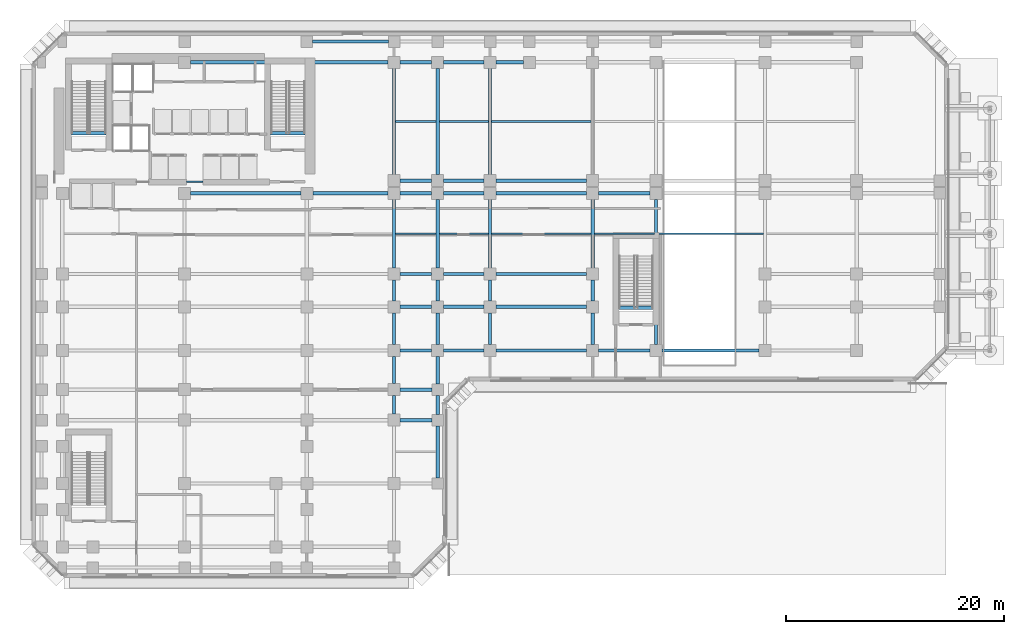
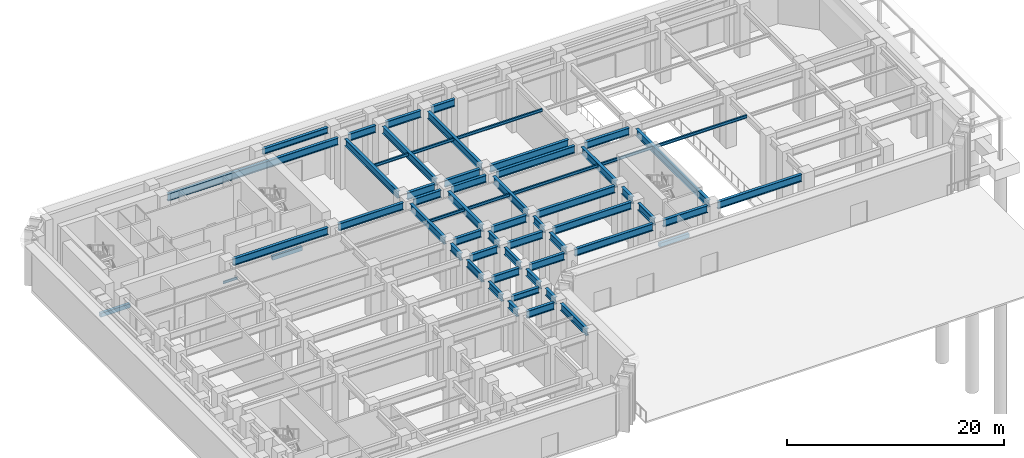
# One storey, part 4 of 18: 60 beams.
"""IFC4 building model written with IfcOpenShell, lengths in metres."""

from ifc_helpers import new_model, si_unit, direction, frame, origin, origin_2d, place, context, subcontext, project, spatial, rectangle, i_section, extrude, material, material_profile, profile_set, type_object, element, save


model = new_model("IFC4")

# Units and contexts
model_context = context("Model", 3, precision=1e-05, world=origin(), true_north=direction((0.0, 1.0)))
body_context = subcontext(model_context, "Body", "Model", "MODEL_VIEW")
ifc_project = project(units=[si_unit("LENGTHUNIT", "METRE"), si_unit("AREAUNIT", "SQUARE_METRE"), si_unit("VOLUMEUNIT", "CUBIC_METRE"), si_unit("PLANEANGLEUNIT", "RADIAN"), si_unit("MASSUNIT", "GRAM", prefix="KILO")], contexts=[model_context])

# Site, building, storey
site_placement = place(None, origin())
site = spatial("IfcSite", under=ifc_project, at=site_placement, CompositionType="ELEMENT")
building_placement = place(site_placement, origin())
building = spatial("IfcBuilding", under=site, at=building_placement, Name="Kefirva Bronze Tower", CompositionType="ELEMENT")
storey_placement = place(building_placement, origin())
storey = spatial("IfcBuildingStorey", under=building, at=storey_placement, Name="L00", CompositionType="ELEMENT", Elevation=0.0)

# Beams
ifc_material_1 = material(Name="Concrete C50/60", Category="concrete")
ifc_material_profile_1 = material_profile(ifc_material_1, rectangle(XDim=0.300048828125, YDim=0.449951171875, at=origin_2d()), Name="RC 300x450")
ifc_profile_set_1 = profile_set([ifc_material_profile_1], Name="Concrete C50/60")
beam_type_1 = type_object("IfcBeamType", Name="RC Stair Trimmer Beam 300x450", PredefinedType="BEAM", material=ifc_profile_set_1)
beam_1_placement = place(storey_placement, frame((1.64501953125, 38.699951171875, -0.22509765625), z_axis=(1.0, 0.0, 0.0), x_axis=(0.0, 1.0, 0.0)))
element("IfcBeam", 1, at=beam_1_placement, inside=storey, type_object=beam_type_1, Name="L00 Stair 1 Landing Trimmer Beam", PredefinedType="BEAM", context=body_context, shape_type="SweptSolid", body=[
    extrude(rectangle(XDim=0.300048828125, YDim=0.449951171875, at=origin_2d()), origin(), (0.0, 0.0, 1.0), 3.14990234375),
])
beam_2_placement = place(storey_placement, frame((19.89501953125, 38.699951171875, -0.22509765625), z_axis=(1.0, 0.0, 0.0), x_axis=(0.0, 1.0, 0.0)))
element("IfcBeam", 2, at=beam_2_placement, inside=storey, type_object=beam_type_1, Name="L00 Stair 2 Landing Trimmer Beam", PredefinedType="BEAM", context=body_context, shape_type="SweptSolid", body=[
    extrude(rectangle(XDim=0.300048828125, YDim=0.449951171875, at=origin_2d()), origin(), (0.0, 0.0, 1.0), 3.159912109375),
])
beam_3_placement = place(storey_placement, frame((51.794921875, 22.699951171875, -0.22509765625), z_axis=(1.0, 0.0, 0.0), x_axis=(0.0, 1.0, 0.0)))
element("IfcBeam", 3, at=beam_3_placement, inside=storey, type_object=beam_type_1, Name="L00 Stair 4 Landing Trimmer Beam", PredefinedType="BEAM", context=body_context, shape_type="SweptSolid", body=[
    extrude(rectangle(XDim=0.300048828125, YDim=0.449951171875, at=origin_2d()), origin(), (0.0, 0.0, 1.0), 3.150146484375),
])
ifc_material_2 = material(Name="Steel S355", Category="steel")
ifc_material_profile_2 = material_profile(ifc_material_2, i_section(OverallWidth=0.159912109375, OverallDepth=0.330078125, WebThickness=0.007568359375, FlangeThickness=0.011474609375, at=origin_2d()), Name="IPE 330")
ifc_profile_set_2 = profile_set([ifc_material_profile_2], Name="Steel S355")
beam_type_2 = type_object("IfcBeamType", Name="Steel Floor Joist IPE 330", PredefinedType="JOIST", material=ifc_profile_set_2)
for number, where, z_axis, x_axis, name in (
    (4, (31.35009765625, 29.5, 5.455078125), (1.0, 0.0, 0.0), (0.0, 1.0, 0.0), "L00 JST-L00-31-295"),
    (5, (31.35009765625, 39.77490234375, 5.455078125), (1.0, 0.0, 0.0), (0.0, 1.0, 0.0), "L00 JST-L00-31-397"),
):
    element("IfcBeam", number, at=place(storey_placement, frame(where, z_axis=z_axis, x_axis=x_axis)), inside=storey, type_object=beam_type_2, Name=name, PredefinedType="JOIST", context=body_context, shape_type="SweptSolid", body=[
        extrude(i_section(OverallWidth=0.159912109375, OverallDepth=0.330078125, WebThickness=0.007568359375, FlangeThickness=0.011474609375, at=origin_2d()), origin(), (0.0, 0.0, 1.0), 3.699951171875),
    ])
for number, where, z_axis, x_axis, name in (
    (6, (35.35009765625, 29.5, 5.455078125), (1.0, 0.0, 0.0), (0.0, 1.0, 0.0), "L00 JST-L00-35-295"),
    (7, (35.35009765625, 39.77490234375, 5.455078125), (1.0, 0.0, 0.0), (0.0, 1.0, 0.0), "L00 JST-L00-35-397"),
):
    element("IfcBeam", number, at=place(storey_placement, frame(where, z_axis=z_axis, x_axis=x_axis)), inside=storey, type_object=beam_type_2, Name=name, PredefinedType="JOIST", context=body_context, shape_type="SweptSolid", body=[
        extrude(i_section(OverallWidth=0.159912109375, OverallDepth=0.330078125, WebThickness=0.007568359375, FlangeThickness=0.011474609375, at=origin_2d()), origin(), (0.0, 0.0, 1.0), 4.5),
    ])
for number, where, z_axis, x_axis, name in (
    (8, (40.14990234375, 29.5, 5.455078125), (1.0, 0.0, 0.0), (0.0, 1.0, 0.0), "L00 JST-L00-40-295"),
    (9, (40.14990234375, 39.77490234375, 5.455078125), (1.0, 0.0, 0.0), (0.0, 1.0, 0.0), "L00 JST-L00-40-397"),
):
    element("IfcBeam", number, at=place(storey_placement, frame(where, z_axis=z_axis, x_axis=x_axis)), inside=storey, type_object=beam_type_2, Name=name, PredefinedType="JOIST", context=body_context, shape_type="SweptSolid", body=[
        extrude(i_section(OverallWidth=0.159912109375, OverallDepth=0.330078125, WebThickness=0.007568359375, FlangeThickness=0.011474609375, at=origin_2d()), origin(), (0.0, 0.0, 1.0), 9.10009765625),
    ])
beam_4_placement = place(storey_placement, frame((49.550048828125, 29.5, 5.455078125), z_axis=(1.0, 0.0, 0.0), x_axis=(0.0, 1.0, 0.0)))
element("IfcBeam", 10, at=beam_4_placement, inside=storey, type_object=beam_type_2, Name="L00 JST-L00-49-295", PredefinedType="JOIST", context=body_context, shape_type="SweptSolid", body=[
    extrude(i_section(OverallWidth=0.159912109375, OverallDepth=0.330078125, WebThickness=0.007568359375, FlangeThickness=0.011474609375, at=origin_2d()), origin(), (0.0, 0.0, 1.0), 5.5),
])
beam_5_placement = place(storey_placement, frame((55.35009765625, 29.5, 5.455078125), z_axis=(1.0, 0.0, 0.0), x_axis=(0.0, 1.0, 0.0)))
element("IfcBeam", 11, at=beam_5_placement, inside=storey, type_object=beam_type_2, Name="L00 JST-L00-55-295", PredefinedType="JOIST", context=body_context, shape_type="SweptSolid", body=[
    extrude(i_section(OverallWidth=0.159912109375, OverallDepth=0.330078125, WebThickness=0.007568359375, FlangeThickness=0.011474609375, at=origin_2d()), origin(), (0.0, 0.0, 1.0), 9.699951171875),
])
ifc_material_profile_3 = material_profile(ifc_material_2, i_section(OverallWidth=0.300048828125, OverallDepth=0.800048828125, WebThickness=0.017578125, FlangeThickness=0.032958984375, at=origin_2d()), Name="HEB 800")
ifc_profile_set_3 = profile_set([ifc_material_profile_3], Name="Steel S355")
beam_type_3 = type_object("IfcBeamType", Name="Steel Girder HEB 800", PredefinedType="USERDEFINED", material=ifc_profile_set_3)
beam_6_placement = place(storey_placement, frame((31.75, 12.39990234375, 5.219970703125), z_axis=(1.0, 0.0, 0.0), x_axis=(0.0, 1.0, 0.0)))
element("IfcBeam", 12, at=beam_6_placement, inside=storey, type_object=beam_type_3, Name="L00 BM-L00-EW-31-124", ObjectType="GIRDER", PredefinedType="USERDEFINED", context=body_context, shape_type="SweptSolid", body=[
    extrude(i_section(OverallWidth=0.300048828125, OverallDepth=0.800048828125, WebThickness=0.017578125, FlangeThickness=0.032958984375, at=origin_2d()), origin(), (0.0, 0.0, 1.0), 2.925048828125),
])
beam_7_placement = place(storey_placement, frame((31.75, 18.800048828125, 5.219970703125), z_axis=(1.0, 0.0, 0.0), x_axis=(0.0, 1.0, 0.0)))
element("IfcBeam", 13, at=beam_7_placement, inside=storey, type_object=beam_type_3, Name="L00 BM-L00-EW-31-188", ObjectType="GIRDER", PredefinedType="USERDEFINED", context=body_context, shape_type="SweptSolid", body=[
    extrude(i_section(OverallWidth=0.300048828125, OverallDepth=0.800048828125, WebThickness=0.017578125, FlangeThickness=0.032958984375, at=origin_2d()), origin(), (0.0, 0.0, 1.0), 2.89990234375),
])
beam_8_placement = place(storey_placement, frame((35.75, 18.800048828125, 5.219970703125), z_axis=(1.0, 0.0, 0.0), x_axis=(0.0, 1.0, 0.0)))
element("IfcBeam", 14, at=beam_8_placement, inside=storey, type_object=beam_type_3, Name="L00 BM-L00-EW-35-188", ObjectType="GIRDER", PredefinedType="USERDEFINED", context=body_context, shape_type="SweptSolid", body=[
    extrude(i_section(OverallWidth=0.300048828125, OverallDepth=0.800048828125, WebThickness=0.017578125, FlangeThickness=0.032958984375, at=origin_2d()), origin(), (0.0, 0.0, 1.0), 3.699951171875),
])
beam_9_placement = place(storey_placement, frame((40.550048828125, 18.800048828125, 5.219970703125), z_axis=(1.0, 0.0, 0.0), x_axis=(0.0, 1.0, 0.0)))
element("IfcBeam", 15, at=beam_9_placement, inside=storey, type_object=beam_type_3, Name="L00 BM-L00-EW-40-188", ObjectType="GIRDER", PredefinedType="USERDEFINED", context=body_context, shape_type="SweptSolid", body=[
    extrude(i_section(OverallWidth=0.300048828125, OverallDepth=0.800048828125, WebThickness=0.017578125, FlangeThickness=0.032958984375, at=origin_2d()), origin(), (0.0, 0.0, 1.0), 8.300048828125),
])
beam_10_placement = place(storey_placement, frame((49.949951171875, 18.800048828125, 5.219970703125), z_axis=(1.0, 0.0, 0.0), x_axis=(0.0, 1.0, 0.0)))
element("IfcBeam", 16, at=beam_10_placement, inside=storey, type_object=beam_type_3, Name="L00 BM-L00-EW-49-188", ObjectType="GIRDER", PredefinedType="USERDEFINED", context=body_context, shape_type="SweptSolid", body=[
    extrude(i_section(OverallWidth=0.300048828125, OverallDepth=0.800048828125, WebThickness=0.017578125, FlangeThickness=0.032958984375, at=origin_2d()), origin(), (0.0, 0.0, 1.0), 4.699951171875),
])
beam_11_placement = place(storey_placement, frame((55.75, 18.800048828125, 5.219970703125), z_axis=(1.0, 0.0, 0.0), x_axis=(0.0, 1.0, 0.0)))
element("IfcBeam", 17, at=beam_11_placement, inside=storey, type_object=beam_type_3, Name="L00 BM-L00-EW-55-188", ObjectType="GIRDER", PredefinedType="USERDEFINED", context=body_context, shape_type="SweptSolid", body=[
    extrude(i_section(OverallWidth=0.300048828125, OverallDepth=0.800048828125, WebThickness=0.017578125, FlangeThickness=0.032958984375, at=origin_2d()), origin(), (0.0, 0.0, 1.0), 8.89990234375),
])
beam_12_placement = place(storey_placement, frame((31.75, 22.800048828125, 5.219970703125), z_axis=(1.0, 0.0, 0.0), x_axis=(0.0, 1.0, 0.0)))
element("IfcBeam", 18, at=beam_12_placement, inside=storey, type_object=beam_type_3, Name="L00 BM-L00-EW-31-228", ObjectType="GIRDER", PredefinedType="USERDEFINED", context=body_context, shape_type="SweptSolid", body=[
    extrude(i_section(OverallWidth=0.300048828125, OverallDepth=0.800048828125, WebThickness=0.017578125, FlangeThickness=0.032958984375, at=origin_2d()), origin(), (0.0, 0.0, 1.0), 2.89990234375),
])
beam_13_placement = place(storey_placement, frame((35.75, 22.800048828125, 5.219970703125), z_axis=(1.0, 0.0, 0.0), x_axis=(0.0, 1.0, 0.0)))
element("IfcBeam", 19, at=beam_13_placement, inside=storey, type_object=beam_type_3, Name="L00 BM-L00-EW-35-228", ObjectType="GIRDER", PredefinedType="USERDEFINED", context=body_context, shape_type="SweptSolid", body=[
    extrude(i_section(OverallWidth=0.300048828125, OverallDepth=0.800048828125, WebThickness=0.017578125, FlangeThickness=0.032958984375, at=origin_2d()), origin(), (0.0, 0.0, 1.0), 3.699951171875),
])
beam_14_placement = place(storey_placement, frame((40.550048828125, 22.800048828125, 5.219970703125), z_axis=(1.0, 0.0, 0.0), x_axis=(0.0, 1.0, 0.0)))
element("IfcBeam", 20, at=beam_14_placement, inside=storey, type_object=beam_type_3, Name="L00 BM-L00-EW-40-228", ObjectType="GIRDER", PredefinedType="USERDEFINED", context=body_context, shape_type="SweptSolid", body=[
    extrude(i_section(OverallWidth=0.300048828125, OverallDepth=0.800048828125, WebThickness=0.017578125, FlangeThickness=0.032958984375, at=origin_2d()), origin(), (0.0, 0.0, 1.0), 8.300048828125),
])
beam_15_placement = place(storey_placement, frame((31.75, 25.800048828125, 5.219970703125), z_axis=(1.0, 0.0, 0.0), x_axis=(0.0, 1.0, 0.0)))
element("IfcBeam", 21, at=beam_15_placement, inside=storey, type_object=beam_type_3, Name="L00 BM-L00-EW-31-258", ObjectType="GIRDER", PredefinedType="USERDEFINED", context=body_context, shape_type="SweptSolid", body=[
    extrude(i_section(OverallWidth=0.300048828125, OverallDepth=0.800048828125, WebThickness=0.017578125, FlangeThickness=0.032958984375, at=origin_2d()), origin(), (0.0, 0.0, 1.0), 2.89990234375),
])
beam_16_placement = place(storey_placement, frame((35.75, 25.800048828125, 5.219970703125), z_axis=(1.0, 0.0, 0.0), x_axis=(0.0, 1.0, 0.0)))
element("IfcBeam", 22, at=beam_16_placement, inside=storey, type_object=beam_type_3, Name="L00 BM-L00-EW-35-258", ObjectType="GIRDER", PredefinedType="USERDEFINED", context=body_context, shape_type="SweptSolid", body=[
    extrude(i_section(OverallWidth=0.300048828125, OverallDepth=0.800048828125, WebThickness=0.017578125, FlangeThickness=0.032958984375, at=origin_2d()), origin(), (0.0, 0.0, 1.0), 3.699951171875),
])
beam_17_placement = place(storey_placement, frame((40.550048828125, 25.800048828125, 5.219970703125), z_axis=(1.0, 0.0, 0.0), x_axis=(0.0, 1.0, 0.0)))
element("IfcBeam", 23, at=beam_17_placement, inside=storey, type_object=beam_type_3, Name="L00 BM-L00-EW-40-258", ObjectType="GIRDER", PredefinedType="USERDEFINED", context=body_context, shape_type="SweptSolid", body=[
    extrude(i_section(OverallWidth=0.300048828125, OverallDepth=0.800048828125, WebThickness=0.017578125, FlangeThickness=0.032958984375, at=origin_2d()), origin(), (0.0, 0.0, 1.0), 8.300048828125),
])
beam_18_placement = place(storey_placement, frame((12.550048828125, 33.199951171875, 5.219970703125), z_axis=(1.0, 0.0, 0.0), x_axis=(0.0, 1.0, 0.0)))
element("IfcBeam", 24, at=beam_18_placement, inside=storey, type_object=beam_type_3, Name="L00 BM-L00-EW-12-332", ObjectType="GIRDER", PredefinedType="USERDEFINED", context=body_context, shape_type="SweptSolid", body=[
    extrude(i_section(OverallWidth=0.300048828125, OverallDepth=0.800048828125, WebThickness=0.017578125, FlangeThickness=0.032958984375, at=origin_2d()), origin(), (0.0, 0.0, 1.0), 10.099853515625),
])
beam_19_placement = place(storey_placement, frame((23.75, 33.199951171875, 5.219970703125), z_axis=(1.0, 0.0, 0.0), x_axis=(0.0, 1.0, 0.0)))
element("IfcBeam", 25, at=beam_19_placement, inside=storey, type_object=beam_type_3, Name="L00 BM-L00-EW-23-332", ObjectType="GIRDER", PredefinedType="USERDEFINED", context=body_context, shape_type="SweptSolid", body=[
    extrude(i_section(OverallWidth=0.300048828125, OverallDepth=0.800048828125, WebThickness=0.017578125, FlangeThickness=0.032958984375, at=origin_2d()), origin(), (0.0, 0.0, 1.0), 6.89990234375),
])
beam_20_placement = place(storey_placement, frame((31.75, 33.199951171875, 5.219970703125), z_axis=(1.0, 0.0, 0.0), x_axis=(0.0, 1.0, 0.0)))
element("IfcBeam", 26, at=beam_20_placement, inside=storey, type_object=beam_type_3, Name="L00 BM-L00-EW-31-332", ObjectType="GIRDER", PredefinedType="USERDEFINED", context=body_context, shape_type="SweptSolid", body=[
    extrude(i_section(OverallWidth=0.300048828125, OverallDepth=0.800048828125, WebThickness=0.017578125, FlangeThickness=0.032958984375, at=origin_2d()), origin(), (0.0, 0.0, 1.0), 2.89990234375),
])
beam_21_placement = place(storey_placement, frame((35.75, 33.199951171875, 5.219970703125), z_axis=(1.0, 0.0, 0.0), x_axis=(0.0, 1.0, 0.0)))
element("IfcBeam", 27, at=beam_21_placement, inside=storey, type_object=beam_type_3, Name="L00 BM-L00-EW-35-332", ObjectType="GIRDER", PredefinedType="USERDEFINED", context=body_context, shape_type="SweptSolid", body=[
    extrude(i_section(OverallWidth=0.300048828125, OverallDepth=0.800048828125, WebThickness=0.017578125, FlangeThickness=0.032958984375, at=origin_2d()), origin(), (0.0, 0.0, 1.0), 3.699951171875),
])
beam_22_placement = place(storey_placement, frame((40.550048828125, 33.199951171875, 5.219970703125), z_axis=(1.0, 0.0, 0.0), x_axis=(0.0, 1.0, 0.0)))
element("IfcBeam", 28, at=beam_22_placement, inside=storey, type_object=beam_type_3, Name="L00 BM-L00-EW-40-332", ObjectType="GIRDER", PredefinedType="USERDEFINED", context=body_context, shape_type="SweptSolid", body=[
    extrude(i_section(OverallWidth=0.300048828125, OverallDepth=0.800048828125, WebThickness=0.017578125, FlangeThickness=0.032958984375, at=origin_2d()), origin(), (0.0, 0.0, 1.0), 8.300048828125),
])
beam_23_placement = place(storey_placement, frame((49.949951171875, 33.199951171875, 5.219970703125), z_axis=(1.0, 0.0, 0.0), x_axis=(0.0, 1.0, 0.0)))
element("IfcBeam", 29, at=beam_23_placement, inside=storey, type_object=beam_type_3, Name="L00 BM-L00-EW-49-332", ObjectType="GIRDER", PredefinedType="USERDEFINED", context=body_context, shape_type="SweptSolid", body=[
    extrude(i_section(OverallWidth=0.300048828125, OverallDepth=0.800048828125, WebThickness=0.017578125, FlangeThickness=0.032958984375, at=origin_2d()), origin(), (0.0, 0.0, 1.0), 4.699951171875),
])
beam_24_placement = place(storey_placement, frame((31.75, 34.35009765625, 5.219970703125), z_axis=(1.0, 0.0, 0.0), x_axis=(0.0, 1.0, 0.0)))
element("IfcBeam", 30, at=beam_24_placement, inside=storey, type_object=beam_type_3, Name="L00 BM-L00-EW-31-344", ObjectType="GIRDER", PredefinedType="USERDEFINED", context=body_context, shape_type="SweptSolid", body=[
    extrude(i_section(OverallWidth=0.300048828125, OverallDepth=0.800048828125, WebThickness=0.017578125, FlangeThickness=0.032958984375, at=origin_2d()), origin(), (0.0, 0.0, 1.0), 2.89990234375),
])
beam_25_placement = place(storey_placement, frame((35.75, 34.35009765625, 5.219970703125), z_axis=(1.0, 0.0, 0.0), x_axis=(0.0, 1.0, 0.0)))
element("IfcBeam", 31, at=beam_25_placement, inside=storey, type_object=beam_type_3, Name="L00 BM-L00-EW-35-344", ObjectType="GIRDER", PredefinedType="USERDEFINED", context=body_context, shape_type="SweptSolid", body=[
    extrude(i_section(OverallWidth=0.300048828125, OverallDepth=0.800048828125, WebThickness=0.017578125, FlangeThickness=0.032958984375, at=origin_2d()), origin(), (0.0, 0.0, 1.0), 3.699951171875),
])
beam_26_placement = place(storey_placement, frame((40.550048828125, 34.35009765625, 5.219970703125), z_axis=(1.0, 0.0, 0.0), x_axis=(0.0, 1.0, 0.0)))
element("IfcBeam", 32, at=beam_26_placement, inside=storey, type_object=beam_type_3, Name="L00 BM-L00-EW-40-344", ObjectType="GIRDER", PredefinedType="USERDEFINED", context=body_context, shape_type="SweptSolid", body=[
    extrude(i_section(OverallWidth=0.300048828125, OverallDepth=0.800048828125, WebThickness=0.017578125, FlangeThickness=0.032958984375, at=origin_2d()), origin(), (0.0, 0.0, 1.0), 8.300048828125),
])
beam_27_placement = place(storey_placement, frame((12.550048828125, 45.199951171875, 5.219970703125), z_axis=(1.0, 0.0, 0.0), x_axis=(0.0, 1.0, 0.0)))
element("IfcBeam", 33, at=beam_27_placement, inside=storey, type_object=beam_type_3, Name="L00 BM-L00-EW-12-452", ObjectType="GIRDER", PredefinedType="USERDEFINED", context=body_context, shape_type="SweptSolid", body=[
    extrude(i_section(OverallWidth=0.300048828125, OverallDepth=0.800048828125, WebThickness=0.017578125, FlangeThickness=0.032958984375, at=origin_2d()), origin(), (0.0, 0.0, 1.0), 18.099853515625),
])
beam_28_placement = place(storey_placement, frame((31.75, 45.199951171875, 5.219970703125), z_axis=(1.0, 0.0, 0.0), x_axis=(0.0, 1.0, 0.0)))
element("IfcBeam", 34, at=beam_28_placement, inside=storey, type_object=beam_type_3, Name="L00 BM-L00-EW-31-452", ObjectType="GIRDER", PredefinedType="USERDEFINED", context=body_context, shape_type="SweptSolid", body=[
    extrude(i_section(OverallWidth=0.300048828125, OverallDepth=0.800048828125, WebThickness=0.017578125, FlangeThickness=0.032958984375, at=origin_2d()), origin(), (0.0, 0.0, 1.0), 2.89990234375),
])
beam_29_placement = place(storey_placement, frame((35.75, 45.199951171875, 5.219970703125), z_axis=(1.0, 0.0, 0.0), x_axis=(0.0, 1.0, 0.0)))
element("IfcBeam", 35, at=beam_29_placement, inside=storey, type_object=beam_type_3, Name="L00 BM-L00-EW-35-452", ObjectType="GIRDER", PredefinedType="USERDEFINED", context=body_context, shape_type="SweptSolid", body=[
    extrude(i_section(OverallWidth=0.300048828125, OverallDepth=0.800048828125, WebThickness=0.017578125, FlangeThickness=0.032958984375, at=origin_2d()), origin(), (0.0, 0.0, 1.0), 3.699951171875),
])
beam_30_placement = place(storey_placement, frame((40.550048828125, 45.199951171875, 5.219970703125), z_axis=(1.0, 0.0, 0.0), x_axis=(0.0, 1.0, 0.0)))
element("IfcBeam", 36, at=beam_30_placement, inside=storey, type_object=beam_type_3, Name="L00 BM-L00-EW-40-452", ObjectType="GIRDER", PredefinedType="USERDEFINED", context=body_context, shape_type="SweptSolid", body=[
    extrude(i_section(OverallWidth=0.300048828125, OverallDepth=0.800048828125, WebThickness=0.017578125, FlangeThickness=0.032958984375, at=origin_2d()), origin(), (0.0, 0.0, 1.0), 2.5),
])
beam_31_placement = place(storey_placement, frame((31.199951171875, 12.949951171875, 5.219970703125), z_axis=(0.0, 1.0, 0.0), x_axis=(-1.0, 0.0, 0.0)))
element("IfcBeam", 37, at=beam_31_placement, inside=storey, type_object=beam_type_3, Name="L00 BM-L00-NS-312-12", ObjectType="GIRDER", PredefinedType="USERDEFINED", context=body_context, shape_type="SweptSolid", body=[
    extrude(i_section(OverallWidth=0.300048828125, OverallDepth=0.800048828125, WebThickness=0.017578125, FlangeThickness=0.032958984375, at=origin_2d()), origin(), (0.0, 0.0, 1.0), 1.699951171875),
])
beam_32_placement = place(storey_placement, frame((31.199951171875, 15.75, 5.219970703125), z_axis=(0.0, 1.0, 0.0), x_axis=(-1.0, 0.0, 0.0)))
element("IfcBeam", 38, at=beam_32_placement, inside=storey, type_object=beam_type_3, Name="L00 BM-L00-NS-312-15", ObjectType="GIRDER", PredefinedType="USERDEFINED", context=body_context, shape_type="SweptSolid", body=[
    extrude(i_section(OverallWidth=0.300048828125, OverallDepth=0.800048828125, WebThickness=0.017578125, FlangeThickness=0.032958984375, at=origin_2d()), origin(), (0.0, 0.0, 1.0), 2.5),
])
beam_33_placement = place(storey_placement, frame((31.199951171875, 19.35009765625, 5.219970703125), z_axis=(0.0, 1.0, 0.0), x_axis=(-1.0, 0.0, 0.0)))
element("IfcBeam", 39, at=beam_33_placement, inside=storey, type_object=beam_type_3, Name="L00 BM-L00-NS-312-18", ObjectType="GIRDER", PredefinedType="USERDEFINED", context=body_context, shape_type="SweptSolid", body=[
    extrude(i_section(OverallWidth=0.300048828125, OverallDepth=0.800048828125, WebThickness=0.017578125, FlangeThickness=0.032958984375, at=origin_2d()), origin(), (0.0, 0.0, 1.0), 2.89990234375),
])
beam_34_placement = place(storey_placement, frame((31.199951171875, 23.35009765625, 5.219970703125), z_axis=(0.0, 1.0, 0.0), x_axis=(-1.0, 0.0, 0.0)))
element("IfcBeam", 40, at=beam_34_placement, inside=storey, type_object=beam_type_3, Name="L00 BM-L00-NS-312-22", ObjectType="GIRDER", PredefinedType="USERDEFINED", context=body_context, shape_type="SweptSolid", body=[
    extrude(i_section(OverallWidth=0.300048828125, OverallDepth=0.800048828125, WebThickness=0.017578125, FlangeThickness=0.032958984375, at=origin_2d()), origin(), (0.0, 0.0, 1.0), 1.89990234375),
])
beam_35_placement = place(storey_placement, frame((31.199951171875, 26.35009765625, 5.219970703125), z_axis=(0.0, 1.0, 0.0), x_axis=(-1.0, 0.0, 0.0)))
element("IfcBeam", 41, at=beam_35_placement, inside=storey, type_object=beam_type_3, Name="L00 BM-L00-NS-312-25", ObjectType="GIRDER", PredefinedType="USERDEFINED", context=body_context, shape_type="SweptSolid", body=[
    extrude(i_section(OverallWidth=0.300048828125, OverallDepth=0.800048828125, WebThickness=0.017578125, FlangeThickness=0.032958984375, at=origin_2d()), origin(), (0.0, 0.0, 1.0), 6.2998046875),
])
beam_36_placement = place(storey_placement, frame((31.199951171875, 34.89990234375, 5.219970703125), z_axis=(0.0, 1.0, 0.0), x_axis=(-1.0, 0.0, 0.0)))
element("IfcBeam", 42, at=beam_36_placement, inside=storey, type_object=beam_type_3, Name="L00 BM-L00-NS-312-34", ObjectType="GIRDER", PredefinedType="USERDEFINED", context=body_context, shape_type="SweptSolid", body=[
    extrude(i_section(OverallWidth=0.300048828125, OverallDepth=0.800048828125, WebThickness=0.017578125, FlangeThickness=0.032958984375, at=origin_2d()), origin(), (0.0, 0.0, 1.0), 9.75),
])
beam_37_placement = place(storey_placement, frame((35.199951171875, 7.125, 5.219970703125), z_axis=(0.0, 1.0, 0.0), x_axis=(-1.0, 0.0, 0.0)))
element("IfcBeam", 43, at=beam_37_placement, inside=storey, type_object=beam_type_3, Name="L00 BM-L00-NS-352-6", ObjectType="GIRDER", PredefinedType="USERDEFINED", context=body_context, shape_type="SweptSolid", body=[
    extrude(i_section(OverallWidth=0.300048828125, OverallDepth=0.800048828125, WebThickness=0.017578125, FlangeThickness=0.032958984375, at=origin_2d()), origin(), (0.0, 0.0, 1.0), 4.75),
])
beam_38_placement = place(storey_placement, frame((35.199951171875, 12.925048828125, 5.219970703125), z_axis=(0.0, 1.0, 0.0), x_axis=(-1.0, 0.0, 0.0)))
element("IfcBeam", 44, at=beam_38_placement, inside=storey, type_object=beam_type_3, Name="L00 BM-L00-NS-352-12", ObjectType="GIRDER", PredefinedType="USERDEFINED", context=body_context, shape_type="SweptSolid", body=[
    extrude(i_section(OverallWidth=0.300048828125, OverallDepth=0.800048828125, WebThickness=0.017578125, FlangeThickness=0.032958984375, at=origin_2d()), origin(), (0.0, 0.0, 1.0), 1.75),
])
beam_39_placement = place(storey_placement, frame((35.199951171875, 15.72509765625, 5.219970703125), z_axis=(0.0, 1.0, 0.0), x_axis=(-1.0, 0.0, 0.0)))
element("IfcBeam", 45, at=beam_39_placement, inside=storey, type_object=beam_type_3, Name="L00 BM-L00-NS-352-15", ObjectType="GIRDER", PredefinedType="USERDEFINED", context=body_context, shape_type="SweptSolid", body=[
    extrude(i_section(OverallWidth=0.300048828125, OverallDepth=0.800048828125, WebThickness=0.017578125, FlangeThickness=0.032958984375, at=origin_2d()), origin(), (0.0, 0.0, 1.0), 2.52490234375),
])
beam_40_placement = place(storey_placement, frame((35.199951171875, 19.35009765625, 5.219970703125), z_axis=(0.0, 1.0, 0.0), x_axis=(-1.0, 0.0, 0.0)))
element("IfcBeam", 46, at=beam_40_placement, inside=storey, type_object=beam_type_3, Name="L00 BM-L00-NS-352-18", ObjectType="GIRDER", PredefinedType="USERDEFINED", context=body_context, shape_type="SweptSolid", body=[
    extrude(i_section(OverallWidth=0.300048828125, OverallDepth=0.800048828125, WebThickness=0.017578125, FlangeThickness=0.032958984375, at=origin_2d()), origin(), (0.0, 0.0, 1.0), 2.89990234375),
])
beam_41_placement = place(storey_placement, frame((35.199951171875, 23.35009765625, 5.219970703125), z_axis=(0.0, 1.0, 0.0), x_axis=(-1.0, 0.0, 0.0)))
element("IfcBeam", 47, at=beam_41_placement, inside=storey, type_object=beam_type_3, Name="L00 BM-L00-NS-352-22", ObjectType="GIRDER", PredefinedType="USERDEFINED", context=body_context, shape_type="SweptSolid", body=[
    extrude(i_section(OverallWidth=0.300048828125, OverallDepth=0.800048828125, WebThickness=0.017578125, FlangeThickness=0.032958984375, at=origin_2d()), origin(), (0.0, 0.0, 1.0), 1.89990234375),
])
beam_42_placement = place(storey_placement, frame((35.199951171875, 26.35009765625, 5.219970703125), z_axis=(0.0, 1.0, 0.0), x_axis=(-1.0, 0.0, 0.0)))
element("IfcBeam", 48, at=beam_42_placement, inside=storey, type_object=beam_type_3, Name="L00 BM-L00-NS-352-25", ObjectType="GIRDER", PredefinedType="USERDEFINED", context=body_context, shape_type="SweptSolid", body=[
    extrude(i_section(OverallWidth=0.300048828125, OverallDepth=0.800048828125, WebThickness=0.017578125, FlangeThickness=0.032958984375, at=origin_2d()), origin(), (0.0, 0.0, 1.0), 6.2998046875),
])
beam_43_placement = place(storey_placement, frame((35.199951171875, 34.89990234375, 5.219970703125), z_axis=(0.0, 1.0, 0.0), x_axis=(-1.0, 0.0, 0.0)))
element("IfcBeam", 49, at=beam_43_placement, inside=storey, type_object=beam_type_3, Name="L00 BM-L00-NS-352-34", ObjectType="GIRDER", PredefinedType="USERDEFINED", context=body_context, shape_type="SweptSolid", body=[
    extrude(i_section(OverallWidth=0.300048828125, OverallDepth=0.800048828125, WebThickness=0.017578125, FlangeThickness=0.032958984375, at=origin_2d()), origin(), (0.0, 0.0, 1.0), 9.75),
])
beam_44_placement = place(storey_placement, frame((40.0, 19.35009765625, 5.219970703125), z_axis=(0.0, 1.0, 0.0), x_axis=(-1.0, 0.0, 0.0)))
element("IfcBeam", 50, at=beam_44_placement, inside=storey, type_object=beam_type_3, Name="L00 BM-L00-NS-400-18", ObjectType="GIRDER", PredefinedType="USERDEFINED", context=body_context, shape_type="SweptSolid", body=[
    extrude(i_section(OverallWidth=0.300048828125, OverallDepth=0.800048828125, WebThickness=0.017578125, FlangeThickness=0.032958984375, at=origin_2d()), origin(), (0.0, 0.0, 1.0), 2.89990234375),
])
beam_45_placement = place(storey_placement, frame((40.0, 23.35009765625, 5.219970703125), z_axis=(0.0, 1.0, 0.0), x_axis=(-1.0, 0.0, 0.0)))
element("IfcBeam", 51, at=beam_45_placement, inside=storey, type_object=beam_type_3, Name="L00 BM-L00-NS-400-22", ObjectType="GIRDER", PredefinedType="USERDEFINED", context=body_context, shape_type="SweptSolid", body=[
    extrude(i_section(OverallWidth=0.300048828125, OverallDepth=0.800048828125, WebThickness=0.017578125, FlangeThickness=0.032958984375, at=origin_2d()), origin(), (0.0, 0.0, 1.0), 1.89990234375),
])
beam_46_placement = place(storey_placement, frame((40.0, 26.35009765625, 5.219970703125), z_axis=(0.0, 1.0, 0.0), x_axis=(-1.0, 0.0, 0.0)))
element("IfcBeam", 52, at=beam_46_placement, inside=storey, type_object=beam_type_3, Name="L00 BM-L00-NS-400-25", ObjectType="GIRDER", PredefinedType="USERDEFINED", context=body_context, shape_type="SweptSolid", body=[
    extrude(i_section(OverallWidth=0.300048828125, OverallDepth=0.800048828125, WebThickness=0.017578125, FlangeThickness=0.032958984375, at=origin_2d()), origin(), (0.0, 0.0, 1.0), 6.2998046875),
])
beam_47_placement = place(storey_placement, frame((40.0, 34.89990234375, 5.219970703125), z_axis=(0.0, 1.0, 0.0), x_axis=(-1.0, 0.0, 0.0)))
element("IfcBeam", 53, at=beam_47_placement, inside=storey, type_object=beam_type_3, Name="L00 BM-L00-NS-400-34", ObjectType="GIRDER", PredefinedType="USERDEFINED", context=body_context, shape_type="SweptSolid", body=[
    extrude(i_section(OverallWidth=0.300048828125, OverallDepth=0.800048828125, WebThickness=0.017578125, FlangeThickness=0.032958984375, at=origin_2d()), origin(), (0.0, 0.0, 1.0), 9.75),
])
beam_48_placement = place(storey_placement, frame((49.39990234375, 19.35009765625, 5.219970703125), z_axis=(0.0, 1.0, 0.0), x_axis=(-1.0, 0.0, 0.0)))
element("IfcBeam", 54, at=beam_48_placement, inside=storey, type_object=beam_type_3, Name="L00 BM-L00-NS-494-18", ObjectType="GIRDER", PredefinedType="USERDEFINED", context=body_context, shape_type="SweptSolid", body=[
    extrude(i_section(OverallWidth=0.300048828125, OverallDepth=0.800048828125, WebThickness=0.017578125, FlangeThickness=0.032958984375, at=origin_2d()), origin(), (0.0, 0.0, 1.0), 2.89990234375),
])
beam_49_placement = place(storey_placement, frame((49.39990234375, 23.35009765625, 5.219970703125), z_axis=(0.0, 1.0, 0.0), x_axis=(-1.0, 0.0, 0.0)))
element("IfcBeam", 55, at=beam_49_placement, inside=storey, type_object=beam_type_3, Name="L00 BM-L00-NS-494-22", ObjectType="GIRDER", PredefinedType="USERDEFINED", context=body_context, shape_type="SweptSolid", body=[
    extrude(i_section(OverallWidth=0.300048828125, OverallDepth=0.800048828125, WebThickness=0.017578125, FlangeThickness=0.032958984375, at=origin_2d()), origin(), (0.0, 0.0, 1.0), 1.89990234375),
])
beam_50_placement = place(storey_placement, frame((49.39990234375, 26.35009765625, 5.219970703125), z_axis=(0.0, 1.0, 0.0), x_axis=(-1.0, 0.0, 0.0)))
element("IfcBeam", 56, at=beam_50_placement, inside=storey, type_object=beam_type_3, Name="L00 BM-L00-NS-494-25", ObjectType="GIRDER", PredefinedType="USERDEFINED", context=body_context, shape_type="SweptSolid", body=[
    extrude(i_section(OverallWidth=0.300048828125, OverallDepth=0.800048828125, WebThickness=0.017578125, FlangeThickness=0.032958984375, at=origin_2d()), origin(), (0.0, 0.0, 1.0), 6.2998046875),
])
beam_51_placement = place(storey_placement, frame((55.199951171875, 19.35009765625, 5.219970703125), z_axis=(0.0, 1.0, 0.0), x_axis=(-1.0, 0.0, 0.0)))
element("IfcBeam", 57, at=beam_51_placement, inside=storey, type_object=beam_type_3, Name="L00 BM-L00-NS-552-18", ObjectType="GIRDER", PredefinedType="USERDEFINED", context=body_context, shape_type="SweptSolid", body=[
    extrude(i_section(OverallWidth=0.300048828125, OverallDepth=0.800048828125, WebThickness=0.017578125, FlangeThickness=0.032958984375, at=origin_2d()), origin(), (0.0, 0.0, 1.0), 13.2998046875),
])
ifc_material_profile_4 = material_profile(ifc_material_2, i_section(OverallWidth=0.135009765625, OverallDepth=0.27001953125, WebThickness=0.006591796875, FlangeThickness=0.01025390625, at=origin_2d()), Name="IPE 270")
ifc_profile_set_4 = profile_set([ifc_material_profile_4], Name="Steel S355")
beam_type_4 = type_object("IfcBeamType", Name="Steel Opening Lintel IPE 270", PredefinedType="LINTEL", material=ifc_profile_set_4)
beam_52_placement = place(storey_placement, frame((12.159912109375, 34.25, 2.39990234375), z_axis=(1.0, 0.0, 0.0), x_axis=(0.0, 1.0, 0.0)))
element("IfcBeam", 58, at=beam_52_placement, inside=storey, type_object=beam_type_4, Name="L00 Core Lobby Lintel", PredefinedType="LINTEL", context=body_context, shape_type="SweptSolid", body=[
    extrude(i_section(OverallWidth=0.135009765625, OverallDepth=0.27001953125, WebThickness=0.006591796875, FlangeThickness=0.01025390625, at=origin_2d()), origin(), (0.0, 0.0, 1.0), 1.52001953125),
])
ifc_material_profile_5 = material_profile(ifc_material_2, i_section(OverallWidth=0.300048828125, OverallDepth=0.64990234375, WebThickness=0.01611328125, FlangeThickness=0.031005859375, at=origin_2d()), Name="HEB 650")
ifc_profile_set_5 = profile_set([ifc_material_profile_5], Name="Steel S355")
beam_type_5 = type_object("IfcBeamType", Name="Steel Spandrel HEB 650 Ext", PredefinedType="SPANDREL", material=ifc_profile_set_5)
beam_53_placement = place(storey_placement, frame((31.75, 15.199951171875, 5.294921875), z_axis=(1.0, 0.0, 0.0), x_axis=(0.0, 1.0, 0.0)))
element("IfcBeam", 59, at=beam_53_placement, inside=storey, type_object=beam_type_5, Name="L00 BM-L00-EW-31-152", PredefinedType="SPANDREL", context=body_context, shape_type="SweptSolid", body=[
    extrude(i_section(OverallWidth=0.300048828125, OverallDepth=0.64990234375, WebThickness=0.01611328125, FlangeThickness=0.031005859375, at=origin_2d()), origin(), (0.0, 0.0, 1.0), 2.925048828125),
])
beam_54_placement = place(storey_placement, frame((23.72509765625, 47.10009765625, 5.294921875), z_axis=(1.0, 0.0, 0.0), x_axis=(0.0, 1.0, 0.0)))
element("IfcBeam", 60, at=beam_54_placement, inside=storey, type_object=beam_type_5, Name="L00 BM-L00-EW-23-471", PredefinedType="SPANDREL", context=body_context, shape_type="SweptSolid", body=[
    extrude(i_section(OverallWidth=0.300048828125, OverallDepth=0.64990234375, WebThickness=0.01611328125, FlangeThickness=0.031005859375, at=origin_2d()), origin(), (0.0, 0.0, 1.0), 6.949951171875),
])

save(model, "model.ifc")
